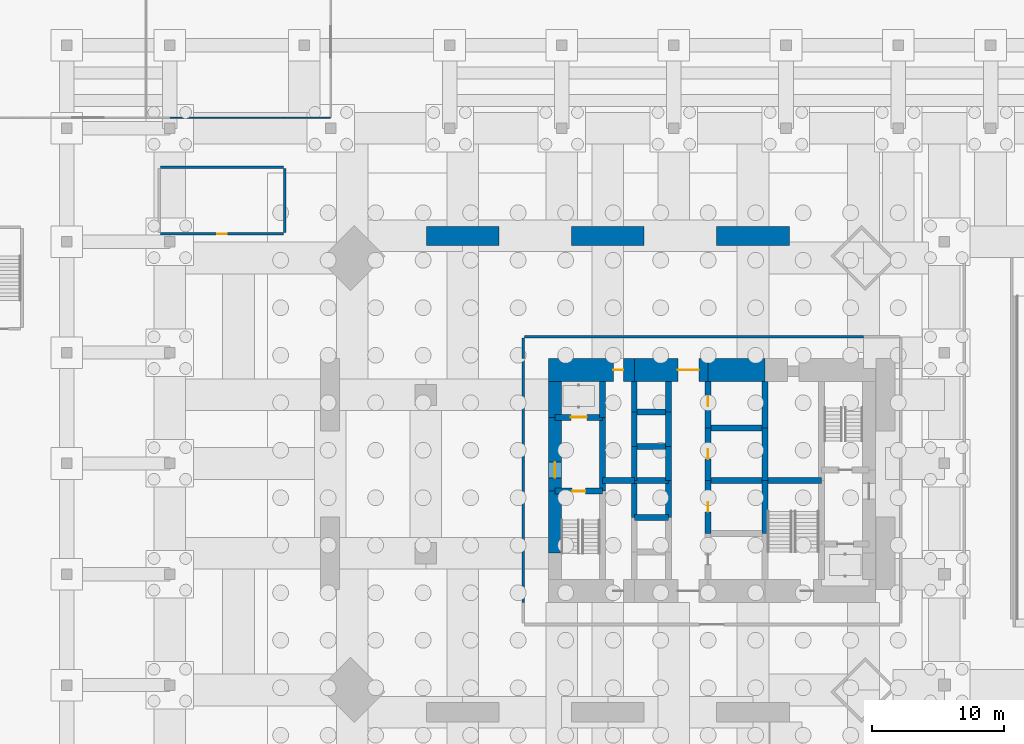
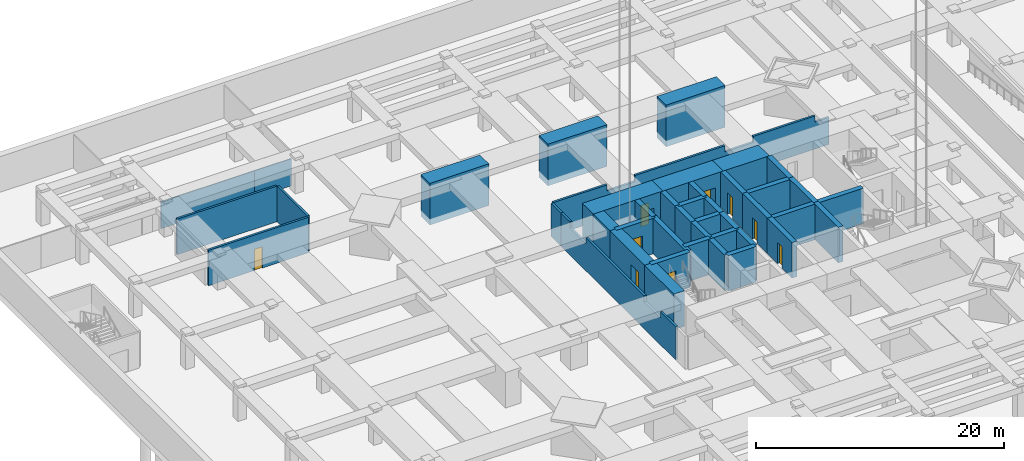
# One storey, part 9 of 15: 43 walls, 9 doors, 9 openings.
"""IFC4 building model written with IfcOpenShell, lengths in metres."""

from ifc_helpers import new_model, si_unit, direction, frame, frame_2d, origin, place, context, subcontext, project, spatial, polyline, rectangle, outline, extrude, material, layer, layer_set, constituent, constituent_set, type_object, element, fill, save


model = new_model("IFC4")

# Units and contexts
model_context = context("Model", 3, precision=1e-05, world=origin(), true_north=direction((0.0, 1.0)))
body_context = subcontext(model_context, "Body", "Model", "MODEL_VIEW")
ifc_project = project(units=[si_unit("LENGTHUNIT", "METRE"), si_unit("AREAUNIT", "SQUARE_METRE"), si_unit("VOLUMEUNIT", "CUBIC_METRE"), si_unit("PLANEANGLEUNIT", "RADIAN"), si_unit("MASSUNIT", "GRAM", prefix="KILO")], contexts=[model_context])

# Site, building, storey
site_placement = place(None, origin())
site = spatial("IfcSite", under=ifc_project, at=site_placement, CompositionType="ELEMENT")
building_placement = place(site_placement, origin())
building = spatial("IfcBuilding", under=site, at=building_placement, Name="Jalousie Tower", CompositionType="ELEMENT")
storey_placement = place(building_placement, frame((0.0, 0.0, -7.5)))
storey = spatial("IfcBuildingStorey", under=building, at=storey_placement, Name="B2", CompositionType="ELEMENT", Elevation=-7.5)

# Wall
ifc_material_1 = material(Name="Concrete f'c 120 MPa", Category="concrete")
ifc_layer_1 = layer(ifc_material_1, 1.0)
ifc_layer_set_1 = layer_set([ifc_layer_1], Name="Concrete f'c 120 MPa")
wall_type_1 = type_object("IfcWallType", Name="CORE WALL 1000", PredefinedType="SHEAR", material=ifc_layer_set_1)
wall_1_placement = place(storey_placement, frame((20.0, 26.0, 0.0), z_axis=(0.0, 0.0, 1.0), x_axis=(0.0, -1.0, 0.0)))
element("IfcWall", 1, at=wall_1_placement, inside=storey, type_object=wall_type_1, Name="Core wall WA B2", PredefinedType="SHEAR", context=body_context, shape_type="SweptSolid", body=[
    extrude(rectangle(XDim=2.699951171875, YDim=1.0, at=frame_2d((1.35009765625, 0.0))), origin(), (0.0, 0.0, 1.0), 3.5),
])

# Wall, opening, door
wall_2_placement = place(storey_placement, frame((20.0, 23.300048828125, 0.0), z_axis=(0.0, 0.0, 1.0), x_axis=(0.0, -1.0, 0.0)))
wall_2 = element("IfcWall", 2, at=wall_2_placement, inside=storey, type_object=wall_type_1, Name="Core wall WB B2", PredefinedType="SHEAR", context=body_context, shape_type="SweptSolid", body=[
    extrude(rectangle(XDim=5.60009765625, YDim=1.0, at=frame_2d((2.800048828125, 0.0))), origin(), (0.0, 0.0, 1.0), 3.5),
])
opening_1_placement = place(wall_2_placement, frame((3.39990234375, 0.0, 0.0)))
opening_1 = element("IfcOpeningElement", 3, at=opening_1_placement, cuts=wall_2, Name="Opening D11", PredefinedType="OPENING", context=body_context, shape_type="SweptSolid", body=[
    extrude(rectangle(XDim=1.199951171875, YDim=2.199951171875, at=frame_2d((0.60009765625, 1.10009765625))), frame((0.0, 0.510009765625, 0.0), z_axis=(0.0, -1.0, 0.0), x_axis=(1.0, 0.0, 0.0)), (0.0, 0.0, 1.0), 1.02001953125),
])
ifc_material_2 = material(Name="Steel fire door", Category="steel")
door_type_1 = type_object("IfcDoorType", Name="FIRE DOOR 1200", OperationType="SINGLE_SWING_LEFT", PredefinedType="DOOR", material=ifc_material_2)
door_1_placement = place(opening_1_placement, origin())
door_1 = element("IfcDoor", 4, at=door_1_placement, inside=storey, type_object=door_type_1, Name="Fire-fighting lobby A door", OperationType="SINGLE_SWING_RIGHT", OverallHeight=2.199951171875, OverallWidth=1.199951171875, PredefinedType="DOOR", context=body_context, shape_type="SweptSolid", body=[
    extrude(rectangle(XDim=1.199951171875, YDim=2.199951171875, at=frame_2d((0.60009765625, 1.10009765625))), frame((0.0, 0.02490234375, 0.0), z_axis=(0.0, -1.0, 0.0), x_axis=(1.0, 0.0, 0.0)), (0.0, 0.0, 1.0), 0.050048828125),
])
fill(opening_1, door_1)

# Walls
wall_3_placement = place(storey_placement, frame((20.0, 17.699951171875, 0.0), z_axis=(0.0, 0.0, 1.0), x_axis=(0.0, -1.0, 0.0)))
element("IfcWall", 5, at=wall_3_placement, inside=storey, type_object=wall_type_1, Name="Core wall WC B2", PredefinedType="SHEAR", context=body_context, shape_type="SweptSolid", body=[
    extrude(rectangle(XDim=4.699951171875, YDim=1.0, at=frame_2d((2.35009765625, 0.0))), origin(), (0.0, 0.0, 1.0), 3.5),
])
ifc_material_3 = material(Name="Concrete f'c 120 MPa", Category="concrete")
ifc_layer_2 = layer(ifc_material_3, 1.75)
ifc_layer_set_2 = layer_set([ifc_layer_2], Name="Concrete f'c 120 MPa")
wall_type_2 = type_object("IfcWallType", Name="CORE WALL 1750", PredefinedType="SHEAR", material=ifc_layer_set_2)
wall_4_placement = place(storey_placement, frame((35.89990234375, 26.875, 0.0), z_axis=(0.0, 0.0, 1.0), x_axis=(-1.0, 0.0, 0.0)))
element("IfcWall", 6, at=wall_4_placement, inside=storey, type_object=wall_type_2, Name="Core wall NB B2", PredefinedType="SHEAR", context=body_context, shape_type="SweptSolid", body=[
    extrude(rectangle(XDim=4.2998046875, YDim=1.75, at=frame_2d((2.14990234375, 0.0))), origin(), (0.0, 0.0, 1.0), 3.5),
])

# Wall, opening, door
wall_5_placement = place(storey_placement, frame((31.60009765625, 26.875, 0.0), z_axis=(0.0, 0.0, 1.0), x_axis=(-1.0, 0.0, 0.0)))
wall_5 = element("IfcWall", 7, at=wall_5_placement, inside=storey, type_object=wall_type_2, Name="Core wall NC B2", PredefinedType="SHEAR", context=body_context, shape_type="SweptSolid", body=[
    extrude(rectangle(XDim=5.60009765625, YDim=1.75, at=frame_2d((2.800048828125, 0.0))), origin(), (0.0, 0.0, 1.0), 3.5),
])
opening_2_placement = place(wall_5_placement, frame((0.699951171875, 0.0, 0.0)))
opening_2 = element("IfcOpeningElement", 8, at=opening_2_placement, cuts=wall_5, Name="Opening D15", PredefinedType="OPENING", context=body_context, shape_type="SweptSolid", body=[
    extrude(rectangle(XDim=1.60009765625, YDim=2.10009765625, at=frame_2d((0.800048828125, 1.050048828125))), frame((0.0, 0.885009765625, 0.0), z_axis=(0.0, -1.0, 0.0), x_axis=(1.0, 0.0, 0.0)), (0.0, 0.0, 1.0), 1.77001953125),
])
ifc_material_4 = material(Name="Steel fire door", Category="steel")
door_type_2 = type_object("IfcDoorType", Name="LIFT LOBBY DOOR 1600", OperationType="DOUBLE_DOOR_SINGLE_SWING", PredefinedType="DOOR", material=ifc_material_4)
door_2_placement = place(opening_2_placement, origin())
door_2 = element("IfcDoor", 9, at=door_2_placement, inside=storey, type_object=door_type_2, Name="Lift lobby north door", OperationType="DOUBLE_DOOR_SINGLE_SWING", OverallHeight=2.10009765625, OverallWidth=1.60009765625, PredefinedType="DOOR", context=body_context, shape_type="SweptSolid", body=[
    extrude(rectangle(XDim=1.60009765625, YDim=2.10009765625, at=frame_2d((0.800048828125, 1.050048828125))), frame((0.0, 0.02490234375, 0.0), z_axis=(0.0, -1.0, 0.0), x_axis=(1.0, 0.0, 0.0)), (0.0, 0.0, 1.0), 0.050048828125),
])
fill(opening_2, door_2)

wall_6_placement = place(storey_placement, frame((26.0, 26.875, 0.0), z_axis=(0.0, 0.0, 1.0), x_axis=(-1.0, 0.0, 0.0)))
wall_6 = element("IfcWall", 10, at=wall_6_placement, inside=storey, type_object=wall_type_2, Name="Core wall ND B2", PredefinedType="SHEAR", context=body_context, shape_type="SweptSolid", body=[
    extrude(rectangle(XDim=6.5, YDim=1.75, at=frame_2d((3.25, 0.0))), origin(), (0.0, 0.0, 1.0), 3.5),
])
opening_3_placement = place(wall_6_placement, frame((0.824951171875, 0.0, 0.0)))
opening_3 = element("IfcOpeningElement", 11, at=opening_3_placement, cuts=wall_6, Name="Opening D16", PredefinedType="OPENING", context=body_context, shape_type="SweptSolid", body=[
    extrude(rectangle(XDim=0.75, YDim=2.10009765625, at=frame_2d((0.375, 1.050048828125))), frame((0.0, 0.885009765625, 0.0), z_axis=(0.0, -1.0, 0.0), x_axis=(1.0, 0.0, 0.0)), (0.0, 0.0, 1.0), 1.77001953125),
])
ifc_material_5 = material(Name="Steel fire door", Category="steel")
door_type_3 = type_object("IfcDoorType", Name="RISER DOOR 750", OperationType="SINGLE_SWING_LEFT", PredefinedType="DOOR", material=ifc_material_5)
door_3_placement = place(opening_3_placement, origin())
door_3 = element("IfcDoor", 12, at=door_3_placement, inside=storey, type_object=door_type_3, Name="North riser door", OperationType="SINGLE_SWING_RIGHT", OverallHeight=2.10009765625, OverallWidth=0.75, PredefinedType="DOOR", context=body_context, shape_type="SweptSolid", body=[
    extrude(rectangle(XDim=0.75, YDim=2.10009765625, at=frame_2d((0.375, 1.050048828125))), frame((0.0, 0.02490234375, 0.0), z_axis=(0.0, -1.0, 0.0), x_axis=(1.0, 0.0, 0.0)), (0.0, 0.0, 1.0), 0.050048828125),
])
fill(opening_3, door_3)

# Walls
ifc_material_6 = material(Name="Concrete f'c 120 MPa", Category="concrete")
ifc_layer_3 = layer(ifc_material_6, 0.449951171875)
ifc_layer_set_3 = layer_set([ifc_layer_3], Name="Concrete f'c 120 MPa")
wall_type_3 = type_object("IfcWallType", Name="CORE WALL 450", PredefinedType="SHEAR", material=ifc_layer_set_3)
wall_7_placement = place(storey_placement, frame((23.60009765625, 17.699951171875, 0.0), z_axis=(0.0, 0.0, 1.0), x_axis=(0.0, 1.0, 0.0)))
element("IfcWall", 13, at=wall_7_placement, inside=storey, type_object=wall_type_3, Name="Core wall X23.6B B2", PredefinedType="SHEAR", context=body_context, shape_type="SweptSolid", body=[
    extrude(rectangle(XDim=5.60009765625, YDim=0.449951171875, at=frame_2d((2.800048828125, 0.0))), origin(), (0.0, 0.0, 1.0), 3.5),
])
wall_8_placement = place(storey_placement, frame((23.60009765625, 23.300048828125, 0.0), z_axis=(0.0, 0.0, 1.0), x_axis=(0.0, 1.0, 0.0)))
element("IfcWall", 14, at=wall_8_placement, inside=storey, type_object=wall_type_3, Name="Core wall X23.6C B2", PredefinedType="SHEAR", context=body_context, shape_type="SweptSolid", body=[
    extrude(rectangle(XDim=2.699951171875, YDim=0.449951171875, at=frame_2d((1.35009765625, 0.0))), origin(), (0.0, 0.0, 1.0), 3.5),
])
wall_9_placement = place(storey_placement, frame((26.0, 15.699951171875, 0.0), z_axis=(0.0, 0.0, 1.0), x_axis=(0.0, 1.0, 0.0)))
element("IfcWall", 15, at=wall_9_placement, inside=storey, type_object=wall_type_3, Name="Core wall X26C B2", PredefinedType="SHEAR", context=body_context, shape_type="SweptSolid", body=[
    extrude(rectangle(XDim=2.800048828125, YDim=0.449951171875, at=frame_2d((1.39990234375, 0.0))), origin(), (0.0, 0.0, 1.0), 3.5),
])
wall_10_placement = place(storey_placement, frame((26.0, 18.5, 0.0), z_axis=(0.0, 0.0, 1.0), x_axis=(0.0, 1.0, 0.0)))
element("IfcWall", 16, at=wall_10_placement, inside=storey, type_object=wall_type_3, Name="Core wall X26D B2", PredefinedType="SHEAR", context=body_context, shape_type="SweptSolid", body=[
    extrude(rectangle(XDim=2.60009765625, YDim=0.449951171875, at=frame_2d((1.300048828125, 0.0))), origin(), (0.0, 0.0, 1.0), 3.5),
])
wall_11_placement = place(storey_placement, frame((26.0, 21.10009765625, 0.0), z_axis=(0.0, 0.0, 1.0), x_axis=(0.0, 1.0, 0.0)))
element("IfcWall", 17, at=wall_11_placement, inside=storey, type_object=wall_type_3, Name="Core wall X26E B2", PredefinedType="SHEAR", context=body_context, shape_type="SweptSolid", body=[
    extrude(rectangle(XDim=2.599853515625, YDim=0.449951171875, at=frame_2d((1.2998046875, 0.0))), origin(), (0.0, 0.0, 1.0), 3.5),
])
wall_12_placement = place(storey_placement, frame((26.0, 23.699951171875, 0.0), z_axis=(0.0, 0.0, 1.0), x_axis=(0.0, 1.0, 0.0)))
element("IfcWall", 18, at=wall_12_placement, inside=storey, type_object=wall_type_3, Name="Core wall X26F B2", PredefinedType="SHEAR", context=body_context, shape_type="SweptSolid", body=[
    extrude(rectangle(XDim=2.300048828125, YDim=0.449951171875, at=frame_2d((1.14990234375, 0.0))), origin(), (0.0, 0.0, 1.0), 3.5),
])
wall_13_placement = place(storey_placement, frame((28.60009765625, 15.699951171875, 0.0), z_axis=(0.0, 0.0, 1.0), x_axis=(0.0, 1.0, 0.0)))
element("IfcWall", 19, at=wall_13_placement, inside=storey, type_object=wall_type_3, Name="Core wall X28.6C B2", PredefinedType="SHEAR", context=body_context, shape_type="SweptSolid", body=[
    extrude(rectangle(XDim=2.800048828125, YDim=0.449951171875, at=frame_2d((1.39990234375, 0.0))), origin(), (0.0, 0.0, 1.0), 3.5),
])
wall_14_placement = place(storey_placement, frame((28.60009765625, 18.5, 0.0), z_axis=(0.0, 0.0, 1.0), x_axis=(0.0, 1.0, 0.0)))
element("IfcWall", 20, at=wall_14_placement, inside=storey, type_object=wall_type_3, Name="Core wall X28.6D B2", PredefinedType="SHEAR", context=body_context, shape_type="SweptSolid", body=[
    extrude(rectangle(XDim=2.60009765625, YDim=0.449951171875, at=frame_2d((1.300048828125, 0.0))), origin(), (0.0, 0.0, 1.0), 3.5),
])
wall_15_placement = place(storey_placement, frame((28.60009765625, 21.10009765625, 0.0), z_axis=(0.0, 0.0, 1.0), x_axis=(0.0, 1.0, 0.0)))
element("IfcWall", 21, at=wall_15_placement, inside=storey, type_object=wall_type_3, Name="Core wall X28.6E B2", PredefinedType="SHEAR", context=body_context, shape_type="SweptSolid", body=[
    extrude(rectangle(XDim=2.599853515625, YDim=0.449951171875, at=frame_2d((1.2998046875, 0.0))), origin(), (0.0, 0.0, 1.0), 3.5),
])
wall_16_placement = place(storey_placement, frame((28.60009765625, 23.699951171875, 0.0), z_axis=(0.0, 0.0, 1.0), x_axis=(0.0, 1.0, 0.0)))
element("IfcWall", 22, at=wall_16_placement, inside=storey, type_object=wall_type_3, Name="Core wall X28.6F B2", PredefinedType="SHEAR", context=body_context, shape_type="SweptSolid", body=[
    extrude(rectangle(XDim=2.300048828125, YDim=0.449951171875, at=frame_2d((1.14990234375, 0.0))), origin(), (0.0, 0.0, 1.0), 3.5),
])

# Wall, opening, door
wall_17_placement = place(storey_placement, frame((31.60009765625, 14.5, 0.0), z_axis=(0.0, 0.0, 1.0), x_axis=(0.0, 1.0, 0.0)))
wall_17 = element("IfcWall", 23, at=wall_17_placement, inside=storey, type_object=wall_type_3, Name="Core wall X31.6B B2", PredefinedType="SHEAR", context=body_context, shape_type="SweptSolid", body=[
    extrude(rectangle(XDim=4.0, YDim=0.449951171875, at=frame_2d((2.0, 0.0))), origin(), (0.0, 0.0, 1.0), 3.5),
])
opening_4_placement = place(wall_17_placement, frame((1.625, 0.0, 0.0)))
opening_4 = element("IfcOpeningElement", 24, at=opening_4_placement, cuts=wall_17, Name="Opening D16", PredefinedType="OPENING", context=body_context, shape_type="SweptSolid", body=[
    extrude(rectangle(XDim=0.75, YDim=2.10009765625, at=frame_2d((0.375, 1.050048828125))), frame((0.0, 0.23486328125, 0.0), z_axis=(0.0, -1.0, 0.0), x_axis=(1.0, 0.0, 0.0)), (0.0, 0.0, 1.0), 0.469970703125),
])
door_4_placement = place(opening_4_placement, frame((0.75, 0.0, 0.0), z_axis=(0.0, 0.0, 1.0), x_axis=(-1.0, 0.0, 0.0)))
door_4 = element("IfcDoor", 25, at=door_4_placement, inside=storey, type_object=door_type_3, Name="Electrical Room door", OperationType="SINGLE_SWING_RIGHT", OverallHeight=2.10009765625, OverallWidth=0.75, PredefinedType="DOOR", context=body_context, shape_type="SweptSolid", body=[
    extrude(rectangle(XDim=0.75, YDim=2.10009765625, at=frame_2d((0.375, 1.050048828125))), frame((0.0, 0.02490234375, 0.0), z_axis=(0.0, -1.0, 0.0), x_axis=(1.0, 0.0, 0.0)), (0.0, 0.0, 1.0), 0.050048828125),
])
fill(opening_4, door_4)

wall_18_placement = place(storey_placement, frame((31.60009765625, 18.5, 0.0), z_axis=(0.0, 0.0, 1.0), x_axis=(0.0, 1.0, 0.0)))
wall_18 = element("IfcWall", 26, at=wall_18_placement, inside=storey, type_object=wall_type_3, Name="Core wall X31.6C B2", PredefinedType="SHEAR", context=body_context, shape_type="SweptSolid", body=[
    extrude(rectangle(XDim=4.0, YDim=0.449951171875, at=frame_2d((2.0, 0.0))), origin(), (0.0, 0.0, 1.0), 3.5),
])
opening_5_placement = place(wall_18_placement, frame((1.625, 0.0, 0.0)))
opening_5 = element("IfcOpeningElement", 27, at=opening_5_placement, cuts=wall_18, Name="Opening D16", PredefinedType="OPENING", context=body_context, shape_type="SweptSolid", body=[
    extrude(rectangle(XDim=0.75, YDim=2.10009765625, at=frame_2d((0.375, 1.050048828125))), frame((0.0, 0.23486328125, 0.0), z_axis=(0.0, -1.0, 0.0), x_axis=(1.0, 0.0, 0.0)), (0.0, 0.0, 1.0), 0.469970703125),
])
door_5_placement = place(opening_5_placement, frame((0.75, 0.0, 0.0), z_axis=(0.0, 0.0, 1.0), x_axis=(-1.0, 0.0, 0.0)))
door_5 = element("IfcDoor", 28, at=door_5_placement, inside=storey, type_object=door_type_3, Name="Telecom Room door", OperationType="SINGLE_SWING_RIGHT", OverallHeight=2.10009765625, OverallWidth=0.75, PredefinedType="DOOR", context=body_context, shape_type="SweptSolid", body=[
    extrude(rectangle(XDim=0.75, YDim=2.10009765625, at=frame_2d((0.375, 1.050048828125))), frame((0.0, 0.02490234375, 0.0), z_axis=(0.0, -1.0, 0.0), x_axis=(1.0, 0.0, 0.0)), (0.0, 0.0, 1.0), 0.050048828125),
])
fill(opening_5, door_5)

wall_19_placement = place(storey_placement, frame((31.60009765625, 22.5, 0.0), z_axis=(0.0, 0.0, 1.0), x_axis=(0.0, 1.0, 0.0)))
wall_19 = element("IfcWall", 29, at=wall_19_placement, inside=storey, type_object=wall_type_3, Name="Core wall X31.6D B2", PredefinedType="SHEAR", context=body_context, shape_type="SweptSolid", body=[
    extrude(rectangle(XDim=3.5, YDim=0.449951171875, at=frame_2d((1.75, 0.0))), origin(), (0.0, 0.0, 1.0), 3.5),
])
opening_6_placement = place(wall_19_placement, frame((1.625, 0.0, 0.0)))
opening_6 = element("IfcOpeningElement", 30, at=opening_6_placement, cuts=wall_19, Name="Opening D16", PredefinedType="OPENING", context=body_context, shape_type="SweptSolid", body=[
    extrude(rectangle(XDim=0.75, YDim=2.10009765625, at=frame_2d((0.375, 1.050048828125))), frame((0.0, 0.23486328125, 0.0), z_axis=(0.0, -1.0, 0.0), x_axis=(1.0, 0.0, 0.0)), (0.0, 0.0, 1.0), 0.469970703125),
])
door_6_placement = place(opening_6_placement, frame((0.75, 0.0, 0.0), z_axis=(0.0, 0.0, 1.0), x_axis=(-1.0, 0.0, 0.0)))
door_6 = element("IfcDoor", 31, at=door_6_placement, inside=storey, type_object=door_type_3, Name="Water Services Room door", OperationType="SINGLE_SWING_LEFT", OverallHeight=2.10009765625, OverallWidth=0.75, PredefinedType="DOOR", context=body_context, shape_type="SweptSolid", body=[
    extrude(rectangle(XDim=0.75, YDim=2.10009765625, at=frame_2d((0.375, 1.050048828125))), frame((0.0, 0.02490234375, 0.0), z_axis=(0.0, -1.0, 0.0), x_axis=(1.0, 0.0, 0.0)), (0.0, 0.0, 1.0), 0.050048828125),
])
fill(opening_6, door_6)

# Walls
for number, where, z_axis, x_axis, name in (
    (32, (35.89990234375, 14.5, 0.0), (0.0, 0.0, 1.0), (0.0, 1.0, 0.0), "Core wall X35.9B B2"),
    (33, (35.89990234375, 18.5, 0.0), (0.0, 0.0, 1.0), (0.0, 1.0, 0.0), "Core wall X35.9C B2"),
):
    element("IfcWall", number, at=place(storey_placement, frame(where, z_axis=z_axis, x_axis=x_axis)), inside=storey, type_object=wall_type_3, Name=name, PredefinedType="SHEAR", context=body_context, shape_type="SweptSolid", body=[
        extrude(rectangle(XDim=4.0, YDim=0.449951171875, at=frame_2d((2.0, 0.0))), origin(), (0.0, 0.0, 1.0), 3.5),
    ])
wall_20_placement = place(storey_placement, frame((35.89990234375, 22.5, 0.0), z_axis=(0.0, 0.0, 1.0), x_axis=(0.0, 1.0, 0.0)))
element("IfcWall", 34, at=wall_20_placement, inside=storey, type_object=wall_type_3, Name="Core wall X35.9D B2", PredefinedType="SHEAR", context=body_context, shape_type="SweptSolid", body=[
    extrude(rectangle(XDim=3.5, YDim=0.449951171875, at=frame_2d((1.75, 0.0))), origin(), (0.0, 0.0, 1.0), 3.5),
])

# Wall, opening, door
wall_21_placement = place(storey_placement, frame((20.0, 17.699951171875, 0.0), z_axis=(0.0, 0.0, 1.0), x_axis=(1.0, 0.0, 0.0)))
wall_21 = element("IfcWall", 35, at=wall_21_placement, inside=storey, type_object=wall_type_3, Name="Core wall Y20-17.7 B2", PredefinedType="SHEAR", context=body_context, shape_type="SweptSolid", body=[
    extrude(rectangle(XDim=3.60009765625, YDim=0.449951171875, at=frame_2d((1.800048828125, 0.0))), origin(), (0.0, 0.0, 1.0), 3.5),
])
opening_7_placement = place(wall_21_placement, frame((1.300048828125, 0.0, 0.0)))
opening_7 = element("IfcOpeningElement", 36, at=opening_7_placement, cuts=wall_21, Name="Opening D10", PredefinedType="OPENING", context=body_context, shape_type="SweptSolid", body=[
    extrude(rectangle(XDim=1.0, YDim=2.10009765625, at=frame_2d((0.5, 1.050048828125))), frame((0.0, 0.23486328125, 0.0), z_axis=(0.0, -1.0, 0.0), x_axis=(1.0, 0.0, 0.0)), (0.0, 0.0, 1.0), 0.469970703125),
])
ifc_material_7 = material(Name="Steel fire door", Category="steel")
door_type_4 = type_object("IfcDoorType", Name="STAIR DOOR 1000", OperationType="SINGLE_SWING_LEFT", PredefinedType="DOOR", material=ifc_material_7)
door_7_placement = place(opening_7_placement, frame((1.0, 0.0, 0.0), z_axis=(0.0, 0.0, 1.0), x_axis=(-1.0, 0.0, 0.0)))
door_7 = element("IfcDoor", 37, at=door_7_placement, inside=storey, type_object=door_type_4, Name="Exit stair A door", OperationType="SINGLE_SWING_RIGHT", OverallHeight=2.10009765625, OverallWidth=1.0, PredefinedType="DOOR", context=body_context, shape_type="SweptSolid", body=[
    extrude(rectangle(XDim=1.0, YDim=2.10009765625, at=frame_2d((0.5, 1.050048828125))), frame((0.0, 0.02490234375, 0.0), z_axis=(0.0, -1.0, 0.0), x_axis=(1.0, 0.0, 0.0)), (0.0, 0.0, 1.0), 0.050048828125),
])
fill(opening_7, door_7)

wall_22_placement = place(storey_placement, frame((20.0, 23.300048828125, 0.0), z_axis=(0.0, 0.0, 1.0), x_axis=(1.0, 0.0, 0.0)))
wall_22 = element("IfcWall", 38, at=wall_22_placement, inside=storey, type_object=wall_type_3, Name="Core wall Y20-23.3 B2", PredefinedType="SHEAR", context=body_context, shape_type="SweptSolid", body=[
    extrude(rectangle(XDim=3.60009765625, YDim=0.449951171875, at=frame_2d((1.800048828125, 0.0))), origin(), (0.0, 0.0, 1.0), 3.5),
])
opening_8_placement = place(wall_22_placement, frame((1.199951171875, 0.0, 0.0)))
opening_8 = element("IfcOpeningElement", 39, at=opening_8_placement, cuts=wall_22, Name="Opening LD2", PredefinedType="OPENING", context=body_context, shape_type="SweptSolid", body=[
    extrude(rectangle(XDim=1.199951171875, YDim=2.10009765625, at=frame_2d((0.60009765625, 1.050048828125))), frame((0.0, 0.23486328125, 0.0), z_axis=(0.0, -1.0, 0.0), x_axis=(1.0, 0.0, 0.0)), (0.0, 0.0, 1.0), 0.469970703125),
])
ifc_material_8 = material(Name="Steel lift landing door", Category="steel")
door_type_5 = type_object("IfcDoorType", Name="LIFT LANDING DOOR 1200", OperationType="SLIDING_TO_LEFT", PredefinedType="DOOR", material=ifc_material_8)
door_8_placement = place(opening_8_placement, origin())
door_8 = element("IfcDoor", 40, at=door_8_placement, inside=storey, type_object=door_type_5, Name="Lift F1 landing door", OperationType="SLIDING_TO_LEFT", OverallHeight=2.10009765625, OverallWidth=1.199951171875, PredefinedType="DOOR", context=body_context, shape_type="SweptSolid", body=[
    extrude(rectangle(XDim=1.199951171875, YDim=2.10009765625, at=frame_2d((0.60009765625, 1.050048828125))), frame((0.0, 0.02490234375, 0.0), z_axis=(0.0, -1.0, 0.0), x_axis=(1.0, 0.0, 0.0)), (0.0, 0.0, 1.0), 0.050048828125),
])
fill(opening_8, door_8)

# Walls
wall_23_placement = place(storey_placement, frame((23.60009765625, 18.5, 0.0), z_axis=(0.0, 0.0, 1.0), x_axis=(1.0, 0.0, 0.0)))
element("IfcWall", 41, at=wall_23_placement, inside=storey, type_object=wall_type_3, Name="Core wall Y23.6-18.5 B2", PredefinedType="SHEAR", context=body_context, shape_type="SweptSolid", body=[
    extrude(rectangle(XDim=2.39990234375, YDim=0.449951171875, at=frame_2d((1.199951171875, 0.0))), origin(), (0.0, 0.0, 1.0), 3.5),
])
for number, where, z_axis, x_axis, name in (
    (42, (26.0, 15.699951171875, 0.0), (0.0, 0.0, 1.0), (1.0, 0.0, 0.0), "Core wall Y26-15.7 B2"),
    (43, (26.0, 18.5, 0.0), (0.0, 0.0, 1.0), (1.0, 0.0, 0.0), "Core wall Y26-18.5 B2"),
    (44, (26.0, 21.10009765625, 0.0), (0.0, 0.0, 1.0), (1.0, 0.0, 0.0), "Core wall Y26-21.1 B2"),
    (45, (26.0, 23.699951171875, 0.0), (0.0, 0.0, 1.0), (1.0, 0.0, 0.0), "Core wall Y26-23.7 B2"),
):
    element("IfcWall", number, at=place(storey_placement, frame(where, z_axis=z_axis, x_axis=x_axis)), inside=storey, type_object=wall_type_3, Name=name, PredefinedType="SHEAR", context=body_context, shape_type="SweptSolid", body=[
        extrude(rectangle(XDim=2.60009765625, YDim=0.449951171875, at=frame_2d((1.300048828125, 0.0))), origin(), (0.0, 0.0, 1.0), 3.5),
    ])
for number, where, z_axis, x_axis, name in (
    (46, (31.60009765625, 18.5, 0.0), (0.0, 0.0, 1.0), (1.0, 0.0, 0.0), "Core wall Y31.6-18.5 B2"),
    (47, (31.60009765625, 22.5, 0.0), (0.0, 0.0, 1.0), (1.0, 0.0, 0.0), "Core wall Y31.6-22.5 B2"),
):
    element("IfcWall", number, at=place(storey_placement, frame(where, z_axis=z_axis, x_axis=x_axis)), inside=storey, type_object=wall_type_3, Name=name, PredefinedType="SHEAR", context=body_context, shape_type="SweptSolid", body=[
        extrude(rectangle(XDim=4.2998046875, YDim=0.449951171875, at=frame_2d((2.14990234375, 0.0))), origin(), (0.0, 0.0, 1.0), 3.5),
    ])
wall_24_placement = place(storey_placement, frame((35.89990234375, 18.5, 0.0), z_axis=(0.0, 0.0, 1.0), x_axis=(1.0, 0.0, 0.0)))
element("IfcWall", 48, at=wall_24_placement, inside=storey, type_object=wall_type_3, Name="Core wall Y35.9-18.5 B2", PredefinedType="SHEAR", context=body_context, shape_type="SweptSolid", body=[
    extrude(rectangle(XDim=4.300048828125, YDim=0.449951171875, at=frame_2d((2.14990234375, 0.0))), origin(), (0.0, 0.0, 1.0), 3.5),
])
ifc_material_9 = material(Name="Concrete block ASTM C90", Category="concrete")
ifc_constituent_1 = constituent(ifc_material_9, Name="Body")
ifc_material_10 = material(Name="Render")
ifc_constituent_2 = constituent(ifc_material_10, Name="Finish")
ifc_constituent_set_1 = constituent_set(constituents=[ifc_constituent_1, ifc_constituent_2])
wall_type_4 = type_object("IfcWallType", Name="CORRIDOR WALL 200", PredefinedType="PARTITIONING", material=ifc_constituent_set_1)
wall_25_placement = place(storey_placement, frame((17.60009765625, 27.75, 0.0), z_axis=(0.0, 0.0, 1.0), x_axis=(0.0, 1.0, 0.0)))
element("IfcWall", 49, at=wall_25_placement, inside=storey, type_object=wall_type_4, Name="Corridor Wall 200 B2", PredefinedType="PARTITIONING", context=body_context, shape_type="SweptSolid", body=[
    extrude(rectangle(XDim=1.550048828125, YDim=0.199951171875, at=frame_2d((0.77490234375, 0.0))), origin(), (0.0, 0.0, 1.0), 3.260009765625),
])
wall_26_placement = place(storey_placement, frame((17.60009765625, 9.25, 0.0), z_axis=(0.0, 0.0, 1.0), x_axis=(0.0, 1.0, 0.0)))
element("IfcWall", 50, at=wall_26_placement, inside=storey, type_object=wall_type_4, Name="Corridor Wall 200 B2", PredefinedType="PARTITIONING", context=body_context, shape_type="SweptSolid", body=[
    extrude(outline(polyline([(0.0, 0.0), (18.5, 0.0), (18.5, 3.260009765625), (17.06005859375, 3.260009765625), (17.06005859375, 2.659912109375), (14.43994140625, 2.659912109375), (14.43994140625, 3.260009765625), (5.06005859375, 3.260009765625), (5.06005859375, 2.659912109375), (2.43994140625, 2.659912109375), (2.43994140625, 3.260009765625), (0.0, 3.260009765625), (0.0, 0.0)])), frame((0.0, 0.10009765625, 0.0), z_axis=(0.0, -1.0, 0.0), x_axis=(1.0, 0.0, 0.0)), (0.0, 0.0, 1.0), 0.199951171875),
])
wall_27_placement = place(storey_placement, frame((17.699951171875, 29.39990234375, 0.0), z_axis=(0.0, 0.0, 1.0), x_axis=(1.0, 0.0, 0.0)))
element("IfcWall", 51, at=wall_27_placement, inside=storey, type_object=wall_type_4, Name="Corridor Wall 200 B2-A", PredefinedType="PARTITIONING", context=body_context, shape_type="SweptSolid", body=[
    extrude(outline(polyline([(0.0, 0.0), (25.668701171875, 0.0), (25.668701171875, 2.659912109375), (24.358642578125, 2.659912109375), (24.358642578125, 3.260009765625), (18.610107421875, 3.260009765625), (18.610107421875, 2.659912109375), (15.989990234375, 2.659912109375), (15.989990234375, 3.260009765625), (7.610107421875, 3.260009765625), (7.610107421875, 2.659912109375), (4.989990234375, 2.659912109375), (4.989990234375, 3.260009765625), (0.0, 3.260009765625), (0.0, 0.0)])), frame((0.0, 0.10009765625, 0.0), z_axis=(0.0, -1.0, 0.0), x_axis=(1.0, 0.0, 0.0)), (0.0, 0.0, 1.0), 0.199951171875),
])
ifc_material_11 = material(Name="Gypsum board", Category="gypsum")
ifc_constituent_3 = constituent(ifc_material_11, Name="Body")
ifc_material_12 = material(Name="Light-gauge steel studs ASTM A653 SS Grade 33", Category="steel")
ifc_constituent_4 = constituent(ifc_material_12, Name="Framing")
ifc_constituent_set_2 = constituent_set(constituents=[ifc_constituent_3, ifc_constituent_4])
wall_type_5 = type_object("IfcWallType", Name="PARTITION 100", PredefinedType="PARTITIONING", material=ifc_constituent_set_2)
wall_28_placement = place(storey_placement, frame((-0.5, 46.0, 0.0), z_axis=(0.0, 0.0, 1.0), x_axis=(1.0, 0.0, 0.0)))
element("IfcWall", 52, at=wall_28_placement, inside=storey, type_object=wall_type_5, Name="Partition 100 B2", PredefinedType="PARTITIONING", context=body_context, shape_type="SweptSolid", body=[
    extrude(outline(polyline([(0.0, 0.0), (3.449951171875, 0.0), (3.449951171875, 3.260009765625), (3.449951171875, 2.659912109375), (0.0, 2.659912109375), (0.0, 3.260009765625), (0.0, 0.0)])), frame((0.0, 0.050048828125, 0.0), z_axis=(0.0, -1.0, 0.0), x_axis=(1.0, 0.0, 0.0)), (0.0, 0.0, 1.0), 0.10009765625),
])
wall_29_placement = place(storey_placement, frame((-9.199951171875, 46.0, 0.0), z_axis=(0.0, 0.0, 1.0), x_axis=(1.0, 0.0, 0.0)))
element("IfcWall", 53, at=wall_29_placement, inside=storey, type_object=wall_type_5, Name="Partition 100 B2-B", PredefinedType="PARTITIONING", context=body_context, shape_type="SweptSolid", body=[
    extrude(rectangle(XDim=8.699951171875, YDim=0.10009765625, at=frame_2d((4.35009765625, 0.0))), origin(), (0.0, 0.0, 1.0), 2.659912109375),
])
ifc_material_13 = material(Name="Concrete f'c 120 MPa", Category="concrete")
ifc_layer_4 = layer(ifc_material_13, 1.449951171875)
ifc_layer_set_4 = layer_set([ifc_layer_4], Name="Concrete f'c 120 MPa")
wall_type_6 = type_object("IfcWallType", Name="RC WALL PIER 1450", PredefinedType="SHEAR", material=ifc_layer_set_4)
for number, where, z_axis, x_axis, name in (
    (54, (32.25, 37.050048828125, -0.60009765625), (0.0, 0.0, 1.0), (1.0, 0.0, 0.0), "Wall pier 09 B2"),
    (55, (21.25, 37.050048828125, -0.60009765625), (0.0, 0.0, 1.0), (1.0, 0.0, 0.0), "Wall pier 10 B2"),
    (56, (10.25, 37.050048828125, -0.60009765625), (0.0, 0.0, 1.0), (1.0, 0.0, 0.0), "Wall pier 11 B2"),
):
    element("IfcWall", number, at=place(storey_placement, frame(where, z_axis=z_axis, x_axis=x_axis)), inside=storey, type_object=wall_type_6, Name=name, PredefinedType="SHEAR", context=body_context, shape_type="SweptSolid", body=[
        extrude(rectangle(XDim=5.5, YDim=1.449951171875, at=frame_2d((2.75, 0.0))), origin(), (0.0, 0.0, 1.0), 4.10009765625),
    ])
ifc_material_14 = material(Name="Concrete block ASTM C90", Category="concrete")
ifc_constituent_5 = constituent(ifc_material_14, Name="Body")
ifc_material_15 = material(Name="Render")
ifc_constituent_6 = constituent(ifc_material_15, Name="Finish")
ifc_constituent_set_3 = constituent_set(constituents=[ifc_constituent_5, ifc_constituent_6])
wall_type_7 = type_object("IfcWallType", Name="STAIR WALL 200", PredefinedType="SOLIDWALL", material=ifc_constituent_set_3)
wall_30_placement = place(storey_placement, frame((-0.5, 37.300048828125, 0.0), z_axis=(0.0, 0.0, 1.0), x_axis=(0.0, 1.0, 0.0)))
element("IfcWall", 57, at=wall_30_placement, inside=storey, type_object=wall_type_7, Name="Stair Wall 200 B2", PredefinedType="SOLIDWALL", context=body_context, shape_type="SweptSolid", body=[
    extrude(rectangle(XDim=4.849853515625, YDim=0.199951171875, at=frame_2d((2.4248046875, 0.0))), origin(), (0.0, 0.0, 1.0), 3.5),
])

# Wall, opening, door
wall_31_placement = place(storey_placement, frame((-9.89990234375, 37.199951171875, 0.0), z_axis=(0.0, 0.0, 1.0), x_axis=(1.0, 0.0, 0.0)))
wall_31 = element("IfcWall", 58, at=wall_31_placement, inside=storey, type_object=wall_type_7, Name="Stair Wall 200 B2", PredefinedType="SOLIDWALL", context=body_context, shape_type="SweptSolid", body=[
    extrude(rectangle(XDim=9.2998046875, YDim=0.199951171875, at=frame_2d((4.64990234375, 0.0))), origin(), (0.0, 0.0, 1.0), 3.5),
])
opening_9_placement = place(wall_31_placement, frame((4.300048828125, 0.0, 0.0)))
opening_9 = element("IfcOpeningElement", 59, at=opening_9_placement, cuts=wall_31, Name="Opening D23", PredefinedType="OPENING", context=body_context, shape_type="SweptSolid", body=[
    extrude(rectangle(XDim=0.699951171875, YDim=2.10009765625, at=frame_2d((0.35009765625, 1.050048828125))), frame((0.0, 0.10986328125, 0.0), z_axis=(0.0, -1.0, 0.0), x_axis=(1.0, 0.0, 0.0)), (0.0, 0.0, 1.0), 0.219970703125),
])
ifc_material_16 = material(Name="Steel fire door", Category="steel")
door_type_6 = type_object("IfcDoorType", Name="STAIR STORE DOOR 700", OperationType="SINGLE_SWING_LEFT", PredefinedType="DOOR", material=ifc_material_16)
door_9_placement = place(opening_9_placement, origin())
door_9 = element("IfcDoor", 60, at=door_9_placement, inside=storey, type_object=door_type_6, Name="Store door", OperationType="SINGLE_SWING_LEFT", OverallHeight=2.10009765625, OverallWidth=0.699951171875, PredefinedType="DOOR", context=body_context, shape_type="SweptSolid", body=[
    extrude(rectangle(XDim=0.699951171875, YDim=2.10009765625, at=frame_2d((0.35009765625, 1.050048828125))), frame((0.0, 0.02490234375, 0.0), z_axis=(0.0, -1.0, 0.0), x_axis=(1.0, 0.0, 0.0)), (0.0, 0.0, 1.0), 0.050048828125),
])
fill(opening_9, door_9)

# Wall
wall_32_placement = place(storey_placement, frame((-9.89990234375, 42.25, 0.0), z_axis=(0.0, 0.0, 1.0), x_axis=(1.0, 0.0, 0.0)))
element("IfcWall", 61, at=wall_32_placement, inside=storey, type_object=wall_type_7, Name="Stair Wall 200 B2", PredefinedType="SOLIDWALL", context=body_context, shape_type="SweptSolid", body=[
    extrude(rectangle(XDim=9.2998046875, YDim=0.199951171875, at=frame_2d((4.64990234375, 0.0))), origin(), (0.0, 0.0, 1.0), 3.5),
])

save(model, "model.ifc")
